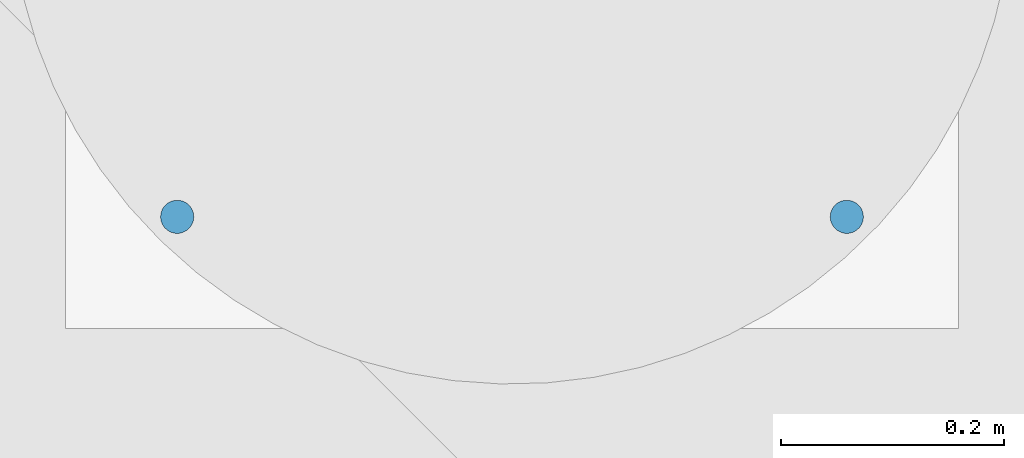
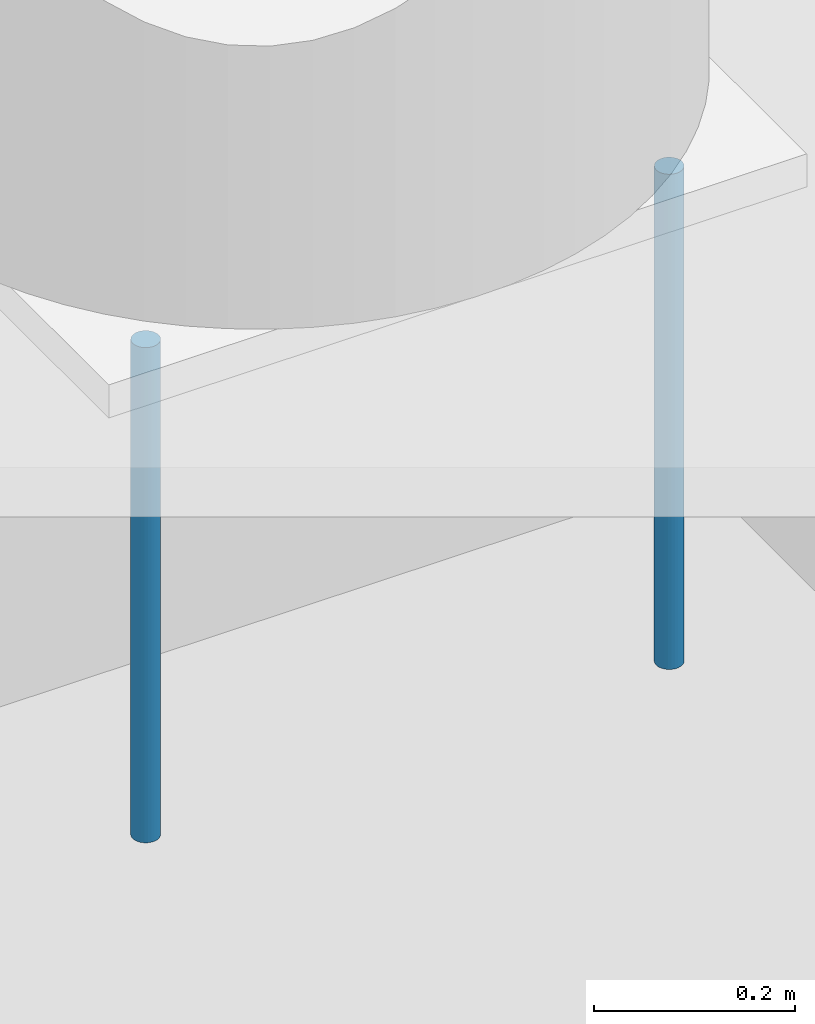
# One storey, part 15 of 28: 2 discrete accessories.
"""IFC4 building model written with IfcOpenShell, lengths in metres."""

from ifc_helpers import new_model, si_unit, direction, frame, origin, origin_2d, place, context, subcontext, project, spatial, circle, extrude, element, save


model = new_model("IFC4")

# Units and contexts
model_context = context("Model", 3, precision=1e-05, world=origin(), true_north=direction((0.0, 1.0)))
body_context = subcontext(model_context, "Body", "Model", "MODEL_VIEW")
ifc_project = project(units=[si_unit("LENGTHUNIT", "METRE"), si_unit("AREAUNIT", "SQUARE_METRE"), si_unit("VOLUMEUNIT", "CUBIC_METRE"), si_unit("PLANEANGLEUNIT", "RADIAN"), si_unit("MASSUNIT", "GRAM", prefix="KILO")], contexts=[model_context])

# Site, building, storey
site_placement = place(None, origin())
site = spatial("IfcSite", under=ifc_project, at=site_placement, CompositionType="ELEMENT")
building_placement = place(site_placement, origin())
building = spatial("IfcBuilding", under=site, at=building_placement, Name="Tabaq Tower and Sports Hall", CompositionType="ELEMENT")
storey_placement = place(building_placement, frame((0.0, 0.0, 233.5)))
storey = spatial("IfcBuildingStorey", under=building, at=storey_placement, Name="L59", CompositionType="ELEMENT", Elevation=233.5)

# Discrete accessories
for number, where, z_axis, x_axis, name in (
    (1, (29.39990234375, 7.800048828125, 1.60009765625), (0.0, 0.0, -1.0), (1.0, 0.0, 0.0), "Wind Turbine 3 Anchor Bolt 1"),
    (2, (30.0, 7.800048828125, 1.60009765625), (0.0, 0.0, -1.0), (1.0, 0.0, 0.0), "Wind Turbine 3 Anchor Bolt 2"),
):
    element("IfcDiscreteAccessory", number, at=place(storey_placement, frame(where, z_axis=z_axis, x_axis=x_axis)), inside=storey, Name=name, PredefinedType="NOTDEFINED", context=body_context, shape_type="SweptSolid", body=[
        extrude(circle(Radius=0.014892578125, at=origin_2d()), origin(), (0.0, 0.0, 1.0), 0.60009765625),
    ])

save(model, "model.ifc")
